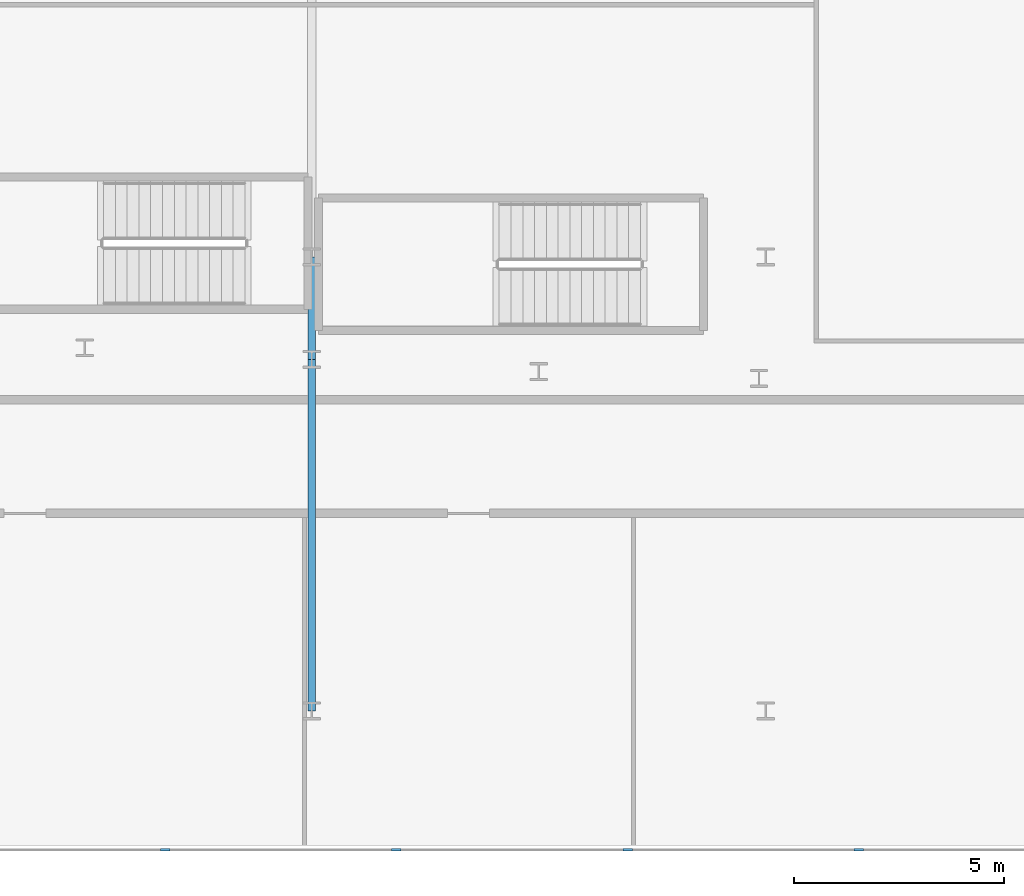
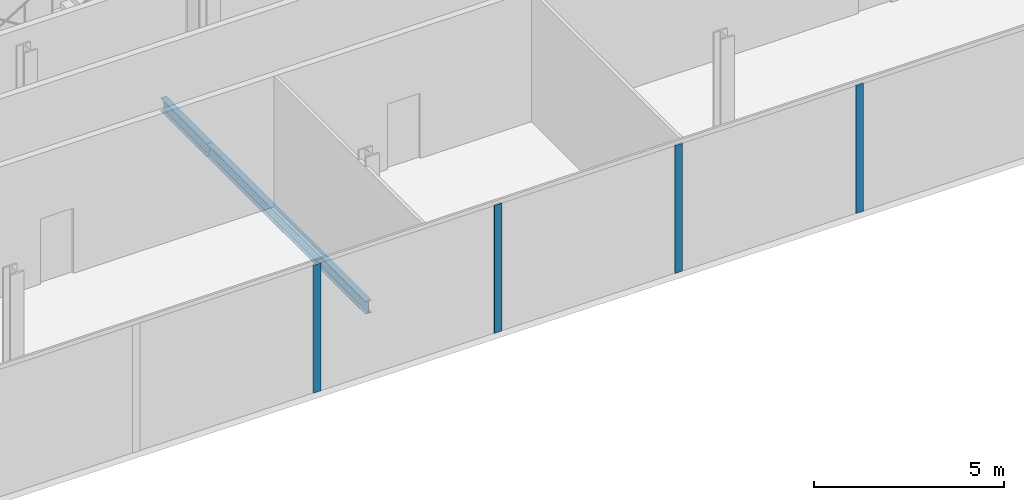
# One storey, part 10 of 43: 4 members, 2 beams, 1 element without a shape of its own.
"""IFC4 building model written with IfcOpenShell, lengths in metres."""

from ifc_helpers import new_model, si_unit, direction, frame, origin, origin_2d, place, context, subcontext, project, spatial, rectangle, i_section, extrude, material, layer, layer_set, material_profile, profile_set, type_object, element, aggregate, save


model = new_model("IFC4")

# Units and contexts
model_context = context("Model", 3, precision=1e-05, world=origin(), true_north=direction((0.0, 1.0)))
body_context = subcontext(model_context, "Body", "Model", "MODEL_VIEW")
ifc_project = project(units=[si_unit("LENGTHUNIT", "METRE"), si_unit("AREAUNIT", "SQUARE_METRE"), si_unit("VOLUMEUNIT", "CUBIC_METRE"), si_unit("PLANEANGLEUNIT", "RADIAN"), si_unit("MASSUNIT", "GRAM", prefix="KILO")], contexts=[model_context])

# Site, building, storey
site_placement = place(None, origin())
site = spatial("IfcSite", under=ifc_project, at=site_placement, CompositionType="ELEMENT")
building_placement = place(site_placement, origin())
building = spatial("IfcBuilding", under=site, at=building_placement, Name="Kheshtan School and Residences Tower", CompositionType="ELEMENT")
storey_placement = place(building_placement, frame((0.0, 0.0, 26.0)))
storey = spatial("IfcBuildingStorey", under=building, at=storey_placement, Name="L05", CompositionType="ELEMENT", Elevation=26.0)

# Beams
ifc_material_1 = material(Name="Steel ASTM A992 Grade 50", Category="steel")
ifc_material_profile_1 = material_profile(ifc_material_1, i_section(OverallWidth=0.180908203125, OverallDepth=0.4169921875, WebThickness=0.010986328125, FlangeThickness=0.018310546875, FilletRadius=0.012451171875, at=origin_2d()), Name="W410x85")
ifc_profile_set_1 = profile_set([ifc_material_profile_1], Name="Steel ASTM A992 Grade 50")
beam_type = type_object("IfcBeamType", Name="Beam PB1 W410x85 ASTM A992 Grade 50", PredefinedType="BEAM", material=ifc_profile_set_1)
beam_1_placement = place(storey_placement, frame((80.0, 13.199951171875, -0.508544921875), z_axis=(0.0, 1.0, 0.0), x_axis=(-1.0, 0.0, 0.0)))
element("IfcBeam", 1, at=beam_1_placement, inside=storey, type_object=beam_type, Name="Podium floor beam PB1", PredefinedType="BEAM", context=body_context, shape_type="SweptSolid", body=[
    extrude(i_section(OverallWidth=0.180908203125, OverallDepth=0.4169921875, WebThickness=0.010986328125, FlangeThickness=0.018310546875, FilletRadius=0.012451171875, at=origin_2d()), origin(), (0.0, 0.0, 1.0), 8.360107421875),
])
beam_2_placement = place(storey_placement, frame((80.0, 21.56005859375, -0.508544921875), z_axis=(0.0, 1.0, 0.0), x_axis=(-1.0, 0.0, 0.0)))
element("IfcBeam", 2, at=beam_2_placement, inside=storey, type_object=beam_type, Name="Podium floor beam PB1", PredefinedType="BEAM", context=body_context, shape_type="SweptSolid", body=[
    extrude(i_section(OverallWidth=0.180908203125, OverallDepth=0.4169921875, WebThickness=0.010986328125, FlangeThickness=0.018310546875, FilletRadius=0.012451171875, at=origin_2d()), origin(), (0.0, 0.0, 1.0), 2.43994140625),
])

# Curtain wall, members
ifc_material_2 = material(Name="Clear low-e glass in thermally broken aluminium frame", Category="aluminium")
ifc_layer = layer(ifc_material_2, 0.22509765625)
ifc_layer_set = layer_set([ifc_layer], Name="Curtain wall CW-P")
curtain_wall_type = type_object("IfcCurtainWallType", Name="Curtain wall CW-P", PredefinedType="NOTDEFINED", material=ifc_layer_set)
curtain_wall_placement = place(storey_placement, origin())
curtain_wall = element("IfcCurtainWall", 3, at=curtain_wall_placement, inside=storey, type_object=curtain_wall_type, Name="Curtain wall CWP12a", PredefinedType="NOTDEFINED")
ifc_material_3 = material(Name="Thermally broken aluminium, dark bronze anodised", Category="aluminium")
ifc_material_profile_2 = material_profile(ifc_material_3, rectangle(XDim=0.06005859375, YDim=0.22509765625, at=origin_2d()), Name="CW-P mullion 60x225")
ifc_profile_set_2 = profile_set([ifc_material_profile_2], Name="Thermally broken aluminium, dark bronze anodised")
member_type = type_object("IfcMemberType", Name="CW-P mullion 60x225", PredefinedType="MULLION", material=ifc_profile_set_2)
member_1_placement = place(storey_placement, frame((93.010986328125, 9.89990234375, 0.0), z_axis=(0.0, 0.0, 1.0), x_axis=(0.0, -1.0, 0.0)))
member_1 = element("IfcMember", 4, at=member_1_placement, type_object=member_type, Name="CWP12a mullion 7", PredefinedType="MULLION", context=body_context, shape_type="SweptSolid", body=[
    extrude(rectangle(XDim=0.06005859375, YDim=0.22509765625, at=origin_2d()), origin(), (0.0, 0.0, 1.0), 4.110107421875),
])
member_2_placement = place(storey_placement, frame((87.5126953125, 9.89990234375, 0.0), z_axis=(0.0, 0.0, 1.0), x_axis=(0.0, -1.0, 0.0)))
member_2 = element("IfcMember", 5, at=member_2_placement, type_object=member_type, Name="CWP12a mullion 8", PredefinedType="MULLION", context=body_context, shape_type="SweptSolid", body=[
    extrude(rectangle(XDim=0.06005859375, YDim=0.22509765625, at=origin_2d()), origin(), (0.0, 0.0, 1.0), 4.110107421875),
])
member_3_placement = place(storey_placement, frame((82.0146484375, 9.89990234375, 0.0), z_axis=(0.0, 0.0, 1.0), x_axis=(0.0, -1.0, 0.0)))
member_3 = element("IfcMember", 6, at=member_3_placement, type_object=member_type, Name="CWP12a mullion 9", PredefinedType="MULLION", context=body_context, shape_type="SweptSolid", body=[
    extrude(rectangle(XDim=0.06005859375, YDim=0.22509765625, at=origin_2d()), origin(), (0.0, 0.0, 1.0), 4.110107421875),
])
member_4_placement = place(storey_placement, frame((76.516357421875, 9.89990234375, 0.0), z_axis=(0.0, 0.0, 1.0), x_axis=(0.0, -1.0, 0.0)))
member_4 = element("IfcMember", 7, at=member_4_placement, type_object=member_type, Name="CWP12a mullion 10", PredefinedType="MULLION", context=body_context, shape_type="SweptSolid", body=[
    extrude(rectangle(XDim=0.06005859375, YDim=0.22509765625, at=origin_2d()), origin(), (0.0, 0.0, 1.0), 4.110107421875),
])
aggregate(curtain_wall, [member_1, member_2, member_3, member_4])

save(model, "model.ifc")
